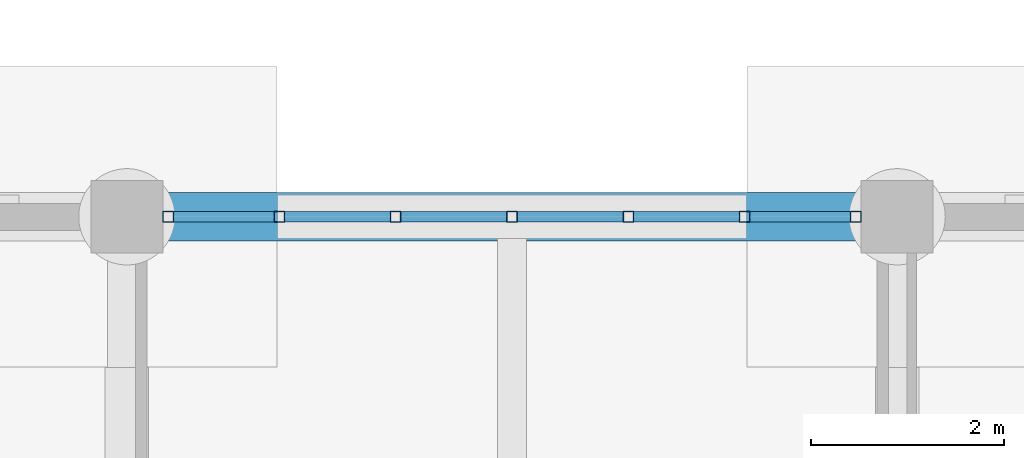
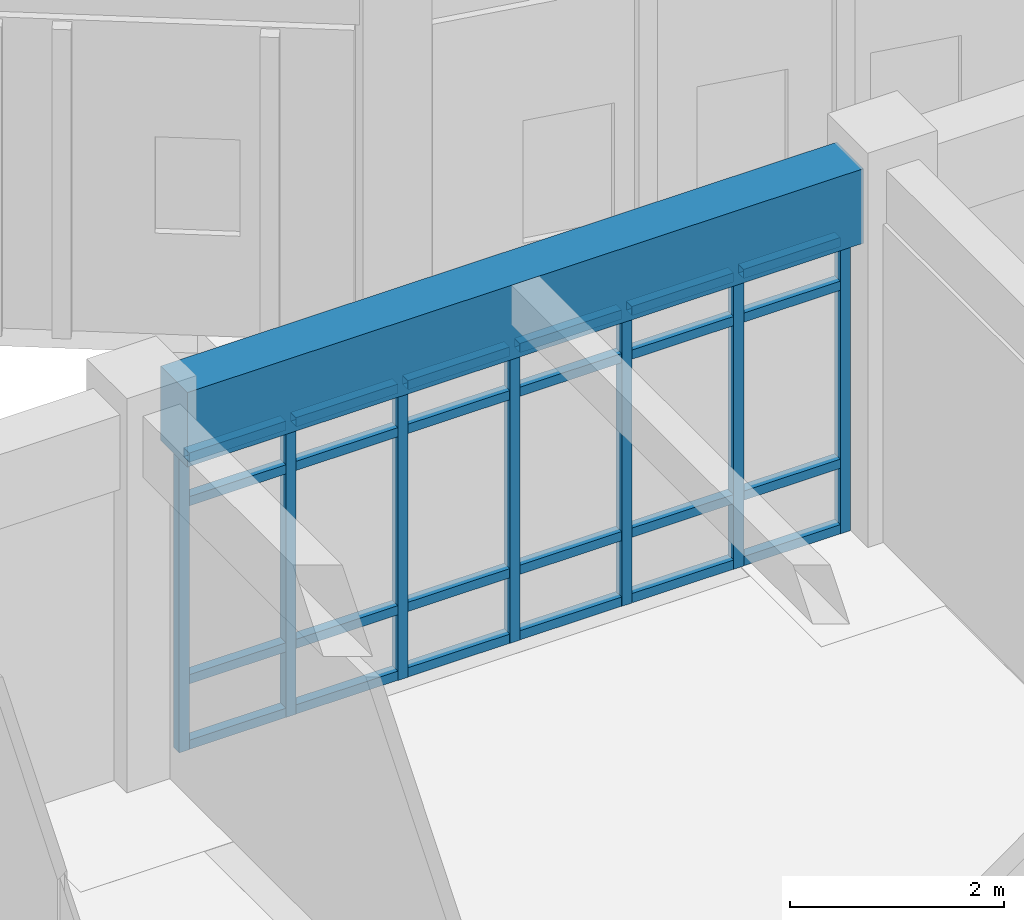
# One storey, part 56 of 153: 31 members, 1 beam, 1 element without a shape of its own.
"""IFC4 building model written with IfcOpenShell, lengths in metres."""

from ifc_helpers import new_model, si_unit, direction, frame, origin, origin_2d, place, context, subcontext, project, spatial, rectangle, hollow_rectangle, extrude, material, material_profile, profile_set, type_object, element, aggregate, save


model = new_model("IFC4")

# Units and contexts
model_context = context("Model", 3, precision=1e-05, world=origin(), true_north=direction((0.0, 1.0)))
body_context = subcontext(model_context, "Body", "Model", "MODEL_VIEW")
ifc_project = project(units=[si_unit("LENGTHUNIT", "METRE"), si_unit("AREAUNIT", "SQUARE_METRE"), si_unit("VOLUMEUNIT", "CUBIC_METRE"), si_unit("PLANEANGLEUNIT", "RADIAN"), si_unit("MASSUNIT", "GRAM", prefix="KILO")], contexts=[model_context])

# Site, building, storey
site_placement = place(None, origin())
site = spatial("IfcSite", under=ifc_project, at=site_placement, CompositionType="ELEMENT")
building_placement = place(site_placement, origin())
building = spatial("IfcBuilding", under=site, at=building_placement, Name="Celadon Cloister-Ring School", CompositionType="ELEMENT")
storey_placement = place(building_placement, origin())
storey = spatial("IfcBuildingStorey", under=building, at=storey_placement, Name="L00", CompositionType="ELEMENT", Elevation=0.0)

# Curtain wall, members
ifc_material_1 = material(Name="Aluminium EN AW-6063 T6", Category="aluminium")
curtain_wall_type = type_object("IfcCurtainWallType", Name="CW-12", PredefinedType="USERDEFINED", material=ifc_material_1)
curtain_wall_placement = place(storey_placement, origin())
curtain_wall = element("IfcCurtainWall", 1, at=curtain_wall_placement, inside=storey, type_object=curtain_wall_type, Name="Curtain Wall 0191", ObjectType="CURTAIN WALL", PredefinedType="USERDEFINED")
ifc_material_2 = material(Name="Aluminium EN AW-6063 T6", Category="aluminium")
ifc_material_profile_1 = material_profile(ifc_material_2, hollow_rectangle(XDim=0.110107421875, YDim=0.110107421875, WallThickness=0.0048828125, at=origin_2d()), Name="RHS110X110X5")
ifc_profile_set_1 = profile_set([ifc_material_profile_1], Name="Aluminium EN AW-6063 T6")
member_type_1 = type_object("IfcMemberType", Name="CM-01", PredefinedType="MULLION", material=ifc_profile_set_1)
member_1_placement = place(storey_placement, frame((8.429931640625, 76.0, 0.0), z_axis=(0.0, 0.0, 1.0), x_axis=(0.0, 1.0, 0.0)))
member_1 = element("IfcMember", 2, at=member_1_placement, type_object=member_type_1, Name="CW-12 mullion 1", PredefinedType="MULLION", context=body_context, shape_type="SweptSolid", body=[
    extrude(hollow_rectangle(XDim=0.110107421875, YDim=0.110107421875, WallThickness=0.0048828125, at=origin_2d()), origin(), (0.0, 0.0, 1.0), 3.382080078125),
])
member_2_placement = place(storey_placement, frame((9.583251953125, 76.0, 0.0), z_axis=(0.0, 0.0, 1.0), x_axis=(0.0, 1.0, 0.0)))
member_2 = element("IfcMember", 3, at=member_2_placement, type_object=member_type_1, Name="CW-12 mullion 2", PredefinedType="MULLION", context=body_context, shape_type="SweptSolid", body=[
    extrude(hollow_rectangle(XDim=0.110107421875, YDim=0.110107421875, WallThickness=0.0048828125, at=origin_2d()), origin(), (0.0, 0.0, 1.0), 3.382080078125),
])
member_3_placement = place(storey_placement, frame((10.791748046875, 76.0, 0.0), z_axis=(0.0, 0.0, 1.0), x_axis=(0.0, 1.0, 0.0)))
member_3 = element("IfcMember", 4, at=member_3_placement, type_object=member_type_1, Name="CW-12 mullion 3", PredefinedType="MULLION", context=body_context, shape_type="SweptSolid", body=[
    extrude(hollow_rectangle(XDim=0.110107421875, YDim=0.110107421875, WallThickness=0.0048828125, at=origin_2d()), origin(), (0.0, 0.0, 1.0), 3.382080078125),
])
member_4_placement = place(storey_placement, frame((12.0, 76.0, 0.0), z_axis=(0.0, 0.0, 1.0), x_axis=(0.0, 1.0, 0.0)))
member_4 = element("IfcMember", 5, at=member_4_placement, type_object=member_type_1, Name="CW-12 mullion 4", PredefinedType="MULLION", context=body_context, shape_type="SweptSolid", body=[
    extrude(hollow_rectangle(XDim=0.110107421875, YDim=0.110107421875, WallThickness=0.0048828125, at=origin_2d()), origin(), (0.0, 0.0, 1.0), 3.382080078125),
])
member_5_placement = place(storey_placement, frame((13.208251953125, 76.0, 0.0), z_axis=(0.0, 0.0, 1.0), x_axis=(0.0, 1.0, 0.0)))
member_5 = element("IfcMember", 6, at=member_5_placement, type_object=member_type_1, Name="CW-12 mullion 5", PredefinedType="MULLION", context=body_context, shape_type="SweptSolid", body=[
    extrude(hollow_rectangle(XDim=0.110107421875, YDim=0.110107421875, WallThickness=0.0048828125, at=origin_2d()), origin(), (0.0, 0.0, 1.0), 3.382080078125),
])
member_6_placement = place(storey_placement, frame((14.416748046875, 76.0, 0.0), z_axis=(0.0, 0.0, 1.0), x_axis=(0.0, 1.0, 0.0)))
member_6 = element("IfcMember", 7, at=member_6_placement, type_object=member_type_1, Name="CW-12 mullion 6", PredefinedType="MULLION", context=body_context, shape_type="SweptSolid", body=[
    extrude(hollow_rectangle(XDim=0.110107421875, YDim=0.110107421875, WallThickness=0.0048828125, at=origin_2d()), origin(), (0.0, 0.0, 1.0), 3.382080078125),
])
member_7_placement = place(storey_placement, frame((15.570068359375, 76.0, 0.0), z_axis=(0.0, 0.0, 1.0), x_axis=(0.0, 1.0, 0.0)))
member_7 = element("IfcMember", 8, at=member_7_placement, type_object=member_type_1, Name="CW-12 mullion 7", PredefinedType="MULLION", context=body_context, shape_type="SweptSolid", body=[
    extrude(hollow_rectangle(XDim=0.110107421875, YDim=0.110107421875, WallThickness=0.0048828125, at=origin_2d()), origin(), (0.0, 0.0, 1.0), 3.382080078125),
])
ifc_material_3 = material(Name="Aluminium EN AW-6063 T6", Category="aluminium")
ifc_material_profile_2 = material_profile(ifc_material_3, hollow_rectangle(XDim=0.10498046875, YDim=0.10498046875, WallThickness=0.0048828125, at=origin_2d()), Name="RHS105X105X5")
ifc_profile_set_2 = profile_set([ifc_material_profile_2], Name="Aluminium EN AW-6063 T6")
member_type_2 = type_object("IfcMemberType", Name="CTM-01", PredefinedType="USERDEFINED", material=ifc_profile_set_2)
member_8_placement = place(storey_placement, frame((8.485107421875, 76.0, 0.052490234375), z_axis=(1.0, 0.0, 0.0), x_axis=(0.0, 1.0, 0.0)))
member_8 = element("IfcMember", 9, at=member_8_placement, type_object=member_type_2, Name="CW-12 transom 1.1", ObjectType="TRANSOM", PredefinedType="USERDEFINED", context=body_context, shape_type="SweptSolid", body=[
    extrude(hollow_rectangle(XDim=0.10498046875, YDim=0.10498046875, WallThickness=0.0048828125, at=origin_2d()), origin(), (0.0, 0.0, 1.0), 1.043212890625),
])
member_9_placement = place(storey_placement, frame((8.485107421875, 76.0, 0.800048828125), z_axis=(1.0, 0.0, 0.0), x_axis=(0.0, 1.0, 0.0)))
member_9 = element("IfcMember", 10, at=member_9_placement, type_object=member_type_2, Name="CW-12 transom 1.2", ObjectType="TRANSOM", PredefinedType="USERDEFINED", context=body_context, shape_type="SweptSolid", body=[
    extrude(hollow_rectangle(XDim=0.10498046875, YDim=0.10498046875, WallThickness=0.0048828125, at=origin_2d()), origin(), (0.0, 0.0, 1.0), 1.043212890625),
])
member_10_placement = place(storey_placement, frame((8.485107421875, 76.0, 2.83203125), z_axis=(1.0, 0.0, 0.0), x_axis=(0.0, 1.0, 0.0)))
member_10 = element("IfcMember", 11, at=member_10_placement, type_object=member_type_2, Name="CW-12 transom 1.3", ObjectType="TRANSOM", PredefinedType="USERDEFINED", context=body_context, shape_type="SweptSolid", body=[
    extrude(hollow_rectangle(XDim=0.10498046875, YDim=0.10498046875, WallThickness=0.0048828125, at=origin_2d()), origin(), (0.0, 0.0, 1.0), 1.043212890625),
])
member_11_placement = place(storey_placement, frame((8.485107421875, 76.0, 3.32958984375), z_axis=(1.0, 0.0, 0.0), x_axis=(0.0, 1.0, 0.0)))
member_11 = element("IfcMember", 12, at=member_11_placement, type_object=member_type_2, Name="CW-12 transom 1.4", ObjectType="TRANSOM", PredefinedType="USERDEFINED", context=body_context, shape_type="SweptSolid", body=[
    extrude(hollow_rectangle(XDim=0.10498046875, YDim=0.10498046875, WallThickness=0.0048828125, at=origin_2d()), origin(), (0.0, 0.0, 1.0), 1.043212890625),
])
member_12_placement = place(storey_placement, frame((9.638427734375, 76.0, 0.052490234375), z_axis=(1.0, 0.0, 0.0), x_axis=(0.0, 1.0, 0.0)))
member_12 = element("IfcMember", 13, at=member_12_placement, type_object=member_type_2, Name="CW-12 transom 2.1", ObjectType="TRANSOM", PredefinedType="USERDEFINED", context=body_context, shape_type="SweptSolid", body=[
    extrude(hollow_rectangle(XDim=0.10498046875, YDim=0.10498046875, WallThickness=0.0048828125, at=origin_2d()), origin(), (0.0, 0.0, 1.0), 1.09814453125),
])
member_13_placement = place(storey_placement, frame((9.638427734375, 76.0, 0.800048828125), z_axis=(1.0, 0.0, 0.0), x_axis=(0.0, 1.0, 0.0)))
member_13 = element("IfcMember", 14, at=member_13_placement, type_object=member_type_2, Name="CW-12 transom 2.2", ObjectType="TRANSOM", PredefinedType="USERDEFINED", context=body_context, shape_type="SweptSolid", body=[
    extrude(hollow_rectangle(XDim=0.10498046875, YDim=0.10498046875, WallThickness=0.0048828125, at=origin_2d()), origin(), (0.0, 0.0, 1.0), 1.09814453125),
])
member_14_placement = place(storey_placement, frame((9.638427734375, 76.0, 2.83203125), z_axis=(1.0, 0.0, 0.0), x_axis=(0.0, 1.0, 0.0)))
member_14 = element("IfcMember", 15, at=member_14_placement, type_object=member_type_2, Name="CW-12 transom 2.3", ObjectType="TRANSOM", PredefinedType="USERDEFINED", context=body_context, shape_type="SweptSolid", body=[
    extrude(hollow_rectangle(XDim=0.10498046875, YDim=0.10498046875, WallThickness=0.0048828125, at=origin_2d()), origin(), (0.0, 0.0, 1.0), 1.09814453125),
])
member_15_placement = place(storey_placement, frame((9.638427734375, 76.0, 3.32958984375), z_axis=(1.0, 0.0, 0.0), x_axis=(0.0, 1.0, 0.0)))
member_15 = element("IfcMember", 16, at=member_15_placement, type_object=member_type_2, Name="CW-12 transom 2.4", ObjectType="TRANSOM", PredefinedType="USERDEFINED", context=body_context, shape_type="SweptSolid", body=[
    extrude(hollow_rectangle(XDim=0.10498046875, YDim=0.10498046875, WallThickness=0.0048828125, at=origin_2d()), origin(), (0.0, 0.0, 1.0), 1.09814453125),
])
member_16_placement = place(storey_placement, frame((10.8466796875, 76.0, 0.052490234375), z_axis=(1.0, 0.0, 0.0), x_axis=(0.0, 1.0, 0.0)))
member_16 = element("IfcMember", 17, at=member_16_placement, type_object=member_type_2, Name="CW-12 transom 3.1", ObjectType="TRANSOM", PredefinedType="USERDEFINED", context=body_context, shape_type="SweptSolid", body=[
    extrude(hollow_rectangle(XDim=0.10498046875, YDim=0.10498046875, WallThickness=0.0048828125, at=origin_2d()), origin(), (0.0, 0.0, 1.0), 1.098388671875),
])
member_17_placement = place(storey_placement, frame((10.8466796875, 76.0, 0.800048828125), z_axis=(1.0, 0.0, 0.0), x_axis=(0.0, 1.0, 0.0)))
member_17 = element("IfcMember", 18, at=member_17_placement, type_object=member_type_2, Name="CW-12 transom 3.2", ObjectType="TRANSOM", PredefinedType="USERDEFINED", context=body_context, shape_type="SweptSolid", body=[
    extrude(hollow_rectangle(XDim=0.10498046875, YDim=0.10498046875, WallThickness=0.0048828125, at=origin_2d()), origin(), (0.0, 0.0, 1.0), 1.098388671875),
])
member_18_placement = place(storey_placement, frame((10.8466796875, 76.0, 2.83203125), z_axis=(1.0, 0.0, 0.0), x_axis=(0.0, 1.0, 0.0)))
member_18 = element("IfcMember", 19, at=member_18_placement, type_object=member_type_2, Name="CW-12 transom 3.3", ObjectType="TRANSOM", PredefinedType="USERDEFINED", context=body_context, shape_type="SweptSolid", body=[
    extrude(hollow_rectangle(XDim=0.10498046875, YDim=0.10498046875, WallThickness=0.0048828125, at=origin_2d()), origin(), (0.0, 0.0, 1.0), 1.098388671875),
])
member_19_placement = place(storey_placement, frame((10.8466796875, 76.0, 3.32958984375), z_axis=(1.0, 0.0, 0.0), x_axis=(0.0, 1.0, 0.0)))
member_19 = element("IfcMember", 20, at=member_19_placement, type_object=member_type_2, Name="CW-12 transom 3.4", ObjectType="TRANSOM", PredefinedType="USERDEFINED", context=body_context, shape_type="SweptSolid", body=[
    extrude(hollow_rectangle(XDim=0.10498046875, YDim=0.10498046875, WallThickness=0.0048828125, at=origin_2d()), origin(), (0.0, 0.0, 1.0), 1.098388671875),
])
member_20_placement = place(storey_placement, frame((12.054931640625, 76.0, 0.052490234375), z_axis=(1.0, 0.0, 0.0), x_axis=(0.0, 1.0, 0.0)))
member_20 = element("IfcMember", 21, at=member_20_placement, type_object=member_type_2, Name="CW-12 transom 4.1", ObjectType="TRANSOM", PredefinedType="USERDEFINED", context=body_context, shape_type="SweptSolid", body=[
    extrude(hollow_rectangle(XDim=0.10498046875, YDim=0.10498046875, WallThickness=0.0048828125, at=origin_2d()), origin(), (0.0, 0.0, 1.0), 1.098388671875),
])
member_21_placement = place(storey_placement, frame((12.054931640625, 76.0, 0.800048828125), z_axis=(1.0, 0.0, 0.0), x_axis=(0.0, 1.0, 0.0)))
member_21 = element("IfcMember", 22, at=member_21_placement, type_object=member_type_2, Name="CW-12 transom 4.2", ObjectType="TRANSOM", PredefinedType="USERDEFINED", context=body_context, shape_type="SweptSolid", body=[
    extrude(hollow_rectangle(XDim=0.10498046875, YDim=0.10498046875, WallThickness=0.0048828125, at=origin_2d()), origin(), (0.0, 0.0, 1.0), 1.098388671875),
])
member_22_placement = place(storey_placement, frame((12.054931640625, 76.0, 2.83203125), z_axis=(1.0, 0.0, 0.0), x_axis=(0.0, 1.0, 0.0)))
member_22 = element("IfcMember", 23, at=member_22_placement, type_object=member_type_2, Name="CW-12 transom 4.3", ObjectType="TRANSOM", PredefinedType="USERDEFINED", context=body_context, shape_type="SweptSolid", body=[
    extrude(hollow_rectangle(XDim=0.10498046875, YDim=0.10498046875, WallThickness=0.0048828125, at=origin_2d()), origin(), (0.0, 0.0, 1.0), 1.098388671875),
])
member_23_placement = place(storey_placement, frame((12.054931640625, 76.0, 3.32958984375), z_axis=(1.0, 0.0, 0.0), x_axis=(0.0, 1.0, 0.0)))
member_23 = element("IfcMember", 24, at=member_23_placement, type_object=member_type_2, Name="CW-12 transom 4.4", ObjectType="TRANSOM", PredefinedType="USERDEFINED", context=body_context, shape_type="SweptSolid", body=[
    extrude(hollow_rectangle(XDim=0.10498046875, YDim=0.10498046875, WallThickness=0.0048828125, at=origin_2d()), origin(), (0.0, 0.0, 1.0), 1.098388671875),
])
member_24_placement = place(storey_placement, frame((13.263427734375, 76.0, 0.052490234375), z_axis=(1.0, 0.0, 0.0), x_axis=(0.0, 1.0, 0.0)))
member_24 = element("IfcMember", 25, at=member_24_placement, type_object=member_type_2, Name="CW-12 transom 5.1", ObjectType="TRANSOM", PredefinedType="USERDEFINED", context=body_context, shape_type="SweptSolid", body=[
    extrude(hollow_rectangle(XDim=0.10498046875, YDim=0.10498046875, WallThickness=0.0048828125, at=origin_2d()), origin(), (0.0, 0.0, 1.0), 1.09814453125),
])
member_25_placement = place(storey_placement, frame((13.263427734375, 76.0, 0.800048828125), z_axis=(1.0, 0.0, 0.0), x_axis=(0.0, 1.0, 0.0)))
member_25 = element("IfcMember", 26, at=member_25_placement, type_object=member_type_2, Name="CW-12 transom 5.2", ObjectType="TRANSOM", PredefinedType="USERDEFINED", context=body_context, shape_type="SweptSolid", body=[
    extrude(hollow_rectangle(XDim=0.10498046875, YDim=0.10498046875, WallThickness=0.0048828125, at=origin_2d()), origin(), (0.0, 0.0, 1.0), 1.09814453125),
])
member_26_placement = place(storey_placement, frame((13.263427734375, 76.0, 2.83203125), z_axis=(1.0, 0.0, 0.0), x_axis=(0.0, 1.0, 0.0)))
member_26 = element("IfcMember", 27, at=member_26_placement, type_object=member_type_2, Name="CW-12 transom 5.3", ObjectType="TRANSOM", PredefinedType="USERDEFINED", context=body_context, shape_type="SweptSolid", body=[
    extrude(hollow_rectangle(XDim=0.10498046875, YDim=0.10498046875, WallThickness=0.0048828125, at=origin_2d()), origin(), (0.0, 0.0, 1.0), 1.09814453125),
])
member_27_placement = place(storey_placement, frame((13.263427734375, 76.0, 3.32958984375), z_axis=(1.0, 0.0, 0.0), x_axis=(0.0, 1.0, 0.0)))
member_27 = element("IfcMember", 28, at=member_27_placement, type_object=member_type_2, Name="CW-12 transom 5.4", ObjectType="TRANSOM", PredefinedType="USERDEFINED", context=body_context, shape_type="SweptSolid", body=[
    extrude(hollow_rectangle(XDim=0.10498046875, YDim=0.10498046875, WallThickness=0.0048828125, at=origin_2d()), origin(), (0.0, 0.0, 1.0), 1.09814453125),
])
member_28_placement = place(storey_placement, frame((14.4716796875, 76.0, 0.052490234375), z_axis=(1.0, 0.0, 0.0), x_axis=(0.0, 1.0, 0.0)))
member_28 = element("IfcMember", 29, at=member_28_placement, type_object=member_type_2, Name="CW-12 transom 6.1", ObjectType="TRANSOM", PredefinedType="USERDEFINED", context=body_context, shape_type="SweptSolid", body=[
    extrude(hollow_rectangle(XDim=0.10498046875, YDim=0.10498046875, WallThickness=0.0048828125, at=origin_2d()), origin(), (0.0, 0.0, 1.0), 1.043212890625),
])
member_29_placement = place(storey_placement, frame((14.4716796875, 76.0, 0.800048828125), z_axis=(1.0, 0.0, 0.0), x_axis=(0.0, 1.0, 0.0)))
member_29 = element("IfcMember", 30, at=member_29_placement, type_object=member_type_2, Name="CW-12 transom 6.2", ObjectType="TRANSOM", PredefinedType="USERDEFINED", context=body_context, shape_type="SweptSolid", body=[
    extrude(hollow_rectangle(XDim=0.10498046875, YDim=0.10498046875, WallThickness=0.0048828125, at=origin_2d()), origin(), (0.0, 0.0, 1.0), 1.043212890625),
])
member_30_placement = place(storey_placement, frame((14.4716796875, 76.0, 2.83203125), z_axis=(1.0, 0.0, 0.0), x_axis=(0.0, 1.0, 0.0)))
member_30 = element("IfcMember", 31, at=member_30_placement, type_object=member_type_2, Name="CW-12 transom 6.3", ObjectType="TRANSOM", PredefinedType="USERDEFINED", context=body_context, shape_type="SweptSolid", body=[
    extrude(hollow_rectangle(XDim=0.10498046875, YDim=0.10498046875, WallThickness=0.0048828125, at=origin_2d()), origin(), (0.0, 0.0, 1.0), 1.043212890625),
])
member_31_placement = place(storey_placement, frame((14.4716796875, 76.0, 3.32958984375), z_axis=(1.0, 0.0, 0.0), x_axis=(0.0, 1.0, 0.0)))
member_31 = element("IfcMember", 32, at=member_31_placement, type_object=member_type_2, Name="CW-12 transom 6.4", ObjectType="TRANSOM", PredefinedType="USERDEFINED", context=body_context, shape_type="SweptSolid", body=[
    extrude(hollow_rectangle(XDim=0.10498046875, YDim=0.10498046875, WallThickness=0.0048828125, at=origin_2d()), origin(), (0.0, 0.0, 1.0), 1.043212890625),
])
aggregate(curtain_wall, [member_1, member_2, member_3, member_4, member_5, member_6, member_7, member_8, member_9, member_10, member_11, member_12, member_13, member_14, member_15, member_16, member_17, member_18, member_19, member_20, member_21, member_22, member_23, member_24, member_25, member_26, member_27, member_28, member_29, member_30, member_31])

# Beam
ifc_material_4 = material(Name="Concrete C35/45", Category="concrete")
ifc_material_profile_3 = material_profile(ifc_material_4, rectangle(XDim=0.5, YDim=0.85009765625, at=origin_2d()), Name="RC500X850")
ifc_profile_set_3 = profile_set([ifc_material_profile_3], Name="Concrete C35/45")
beam_type = type_object("IfcBeamType", Name="GT-01", PredefinedType="USERDEFINED", material=ifc_profile_set_3)
beam_placement = place(storey_placement, frame((8.35009765625, 76.0, 3.81494140625), z_axis=(1.0, 0.0, 0.0), x_axis=(0.0, 1.0, 0.0)))
element("IfcBeam", 33, at=beam_placement, inside=storey, type_object=beam_type, Name="Beam 1492", ObjectType="GIRDER", PredefinedType="USERDEFINED", context=body_context, shape_type="SweptSolid", body=[
    extrude(rectangle(XDim=0.5, YDim=0.85009765625, at=origin_2d()), origin(), (0.0, 0.0, 1.0), 7.2998046875),
])

save(model, "model.ifc")
